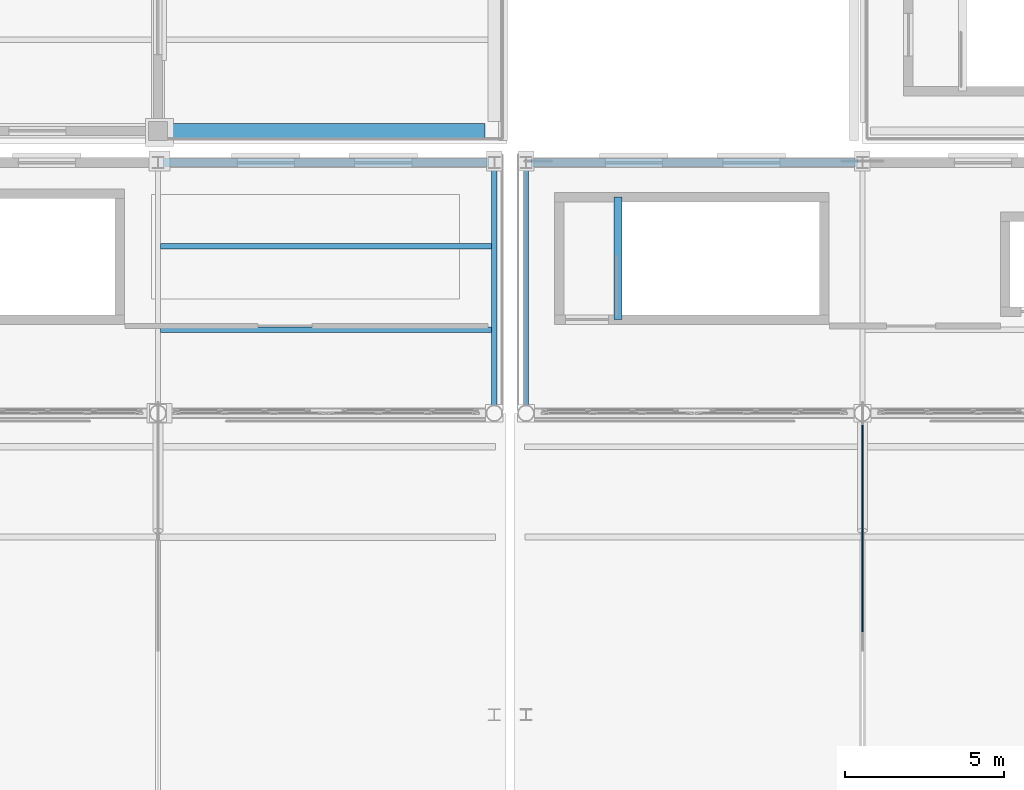
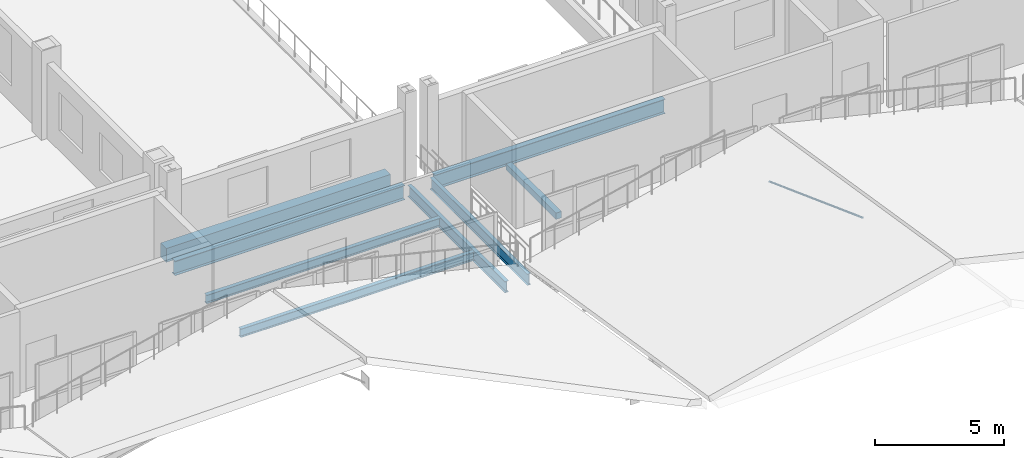
# One storey, part 45 of 120: 8 beams, 1 member.
"""IFC4 building model written with IfcOpenShell, lengths in metres."""

from ifc_helpers import new_model, si_unit, direction, frame, origin, origin_2d, place, context, subcontext, project, spatial, rectangle, circle, i_section, extrude, material, material_profile, profile_set, type_object, element, save


model = new_model("IFC4")

# Units and contexts
model_context = context("Model", 3, precision=1e-05, world=origin(), true_north=direction((0.0, 1.0)))
body_context = subcontext(model_context, "Body", "Model", "MODEL_VIEW")
ifc_project = project(units=[si_unit("LENGTHUNIT", "METRE"), si_unit("AREAUNIT", "SQUARE_METRE"), si_unit("VOLUMEUNIT", "CUBIC_METRE"), si_unit("PLANEANGLEUNIT", "RADIAN"), si_unit("MASSUNIT", "GRAM", prefix="KILO")], contexts=[model_context])

# Site, building, storey
site_placement = place(None, origin())
site = spatial("IfcSite", under=ifc_project, at=site_placement, CompositionType="ELEMENT")
building_placement = place(site_placement, origin())
building = spatial("IfcBuilding", under=site, at=building_placement, Name="Caurita Quay Ferry Terminal", CompositionType="ELEMENT")
storey_placement = place(building_placement, frame((0.0, 0.0, 9.89990234375)))
storey = spatial("IfcBuildingStorey", under=building, at=storey_placement, Name="L02", CompositionType="ELEMENT", Elevation=9.89990234375)

# Beams
ifc_material_1 = material(Name="Structural steel ASTM A992 Gr. 50", Category="steel")
ifc_material_profile_1 = material_profile(ifc_material_1, i_section(OverallWidth=0.25390625, OverallDepth=0.68310546875, WebThickness=0.012451171875, FlangeThickness=0.018798828125, at=origin_2d()), Name="W27X94")
ifc_profile_set_1 = profile_set([ifc_material_profile_1], Name="Structural steel ASTM A992 Gr. 50")
beam_type_1 = type_object("IfcBeamType", Name="BM-GR-W27B", PredefinedType="BEAM", material=ifc_profile_set_1)
beam_1_placement = place(storey_placement, frame((77.167236328125, 70.60009765625, -0.5615234375), z_axis=(1.0, 0.0, 0.0), x_axis=(0.0, 1.0, 0.0)))
element("IfcBeam", 1, at=beam_1_placement, inside=storey, type_object=beam_type_1, Name="L02 Beam BM-V1-L02-X-772-706", PredefinedType="BEAM", context=body_context, shape_type="SweptSolid", body=[
    extrude(i_section(OverallWidth=0.25390625, OverallDepth=0.68310546875, WebThickness=0.012451171875, FlangeThickness=0.018798828125, at=origin_2d()), origin(), (0.0, 0.0, 1.0), 10.265380859375),
])
beam_2_placement = place(storey_placement, frame((88.758544921875, 70.60009765625, -0.5615234375), z_axis=(1.0, 0.0, 0.0), x_axis=(0.0, 1.0, 0.0)))
element("IfcBeam", 2, at=beam_2_placement, inside=storey, type_object=beam_type_1, Name="L02 Beam BM-V2-L02-X-888-706", PredefinedType="BEAM", context=body_context, shape_type="SweptSolid", body=[
    extrude(i_section(OverallWidth=0.25390625, OverallDepth=0.68310546875, WebThickness=0.012451171875, FlangeThickness=0.018798828125, at=origin_2d()), origin(), (0.0, 0.0, 1.0), 10.282958984375),
])
ifc_material_profile_2 = material_profile(ifc_material_1, i_section(OverallWidth=0.177734375, OverallDepth=0.40380859375, WebThickness=0.007568359375, FlangeThickness=0.010986328125, FilletRadius=0.011474609375, at=origin_2d()), Name="W16X36")
ifc_profile_set_2 = profile_set([ifc_material_profile_2], Name="Structural steel ASTM A992 Gr. 50")
beam_type_2 = type_object("IfcBeamType", Name="BM-JS-W16B", PredefinedType="JOIST", material=ifc_profile_set_2)
for number, where, z_axis, x_axis, name in (
    (3, (77.083251953125, 65.333251953125, -0.421875), (1.0, 0.0, 0.0), (0.0, 1.0, 0.0), "L02 Beam JS-V1-L02-007"),
    (4, (77.083251953125, 67.966796875, -0.421875), (1.0, 0.0, 0.0), (0.0, 1.0, 0.0), "L02 Beam JS-V1-L02-008"),
):
    element("IfcBeam", number, at=place(storey_placement, frame(where, z_axis=z_axis, x_axis=x_axis)), inside=storey, type_object=beam_type_2, Name=name, PredefinedType="JOIST", context=body_context, shape_type="SweptSolid", body=[
        extrude(i_section(OverallWidth=0.177734375, OverallDepth=0.40380859375, WebThickness=0.007568359375, FlangeThickness=0.010986328125, FilletRadius=0.011474609375, at=origin_2d()), origin(), (0.0, 0.0, 1.0), 10.433349609375),
    ])
ifc_material_2 = material(Name="Reinforced concrete C35/45", Category="concrete")
ifc_material_profile_3 = material_profile(ifc_material_2, rectangle(XDim=0.449951171875, YDim=0.64990234375, at=origin_2d()), Name="RC-BM-450X650")
ifc_profile_set_3 = profile_set([ifc_material_profile_3], Name="Reinforced concrete C35/45")
beam_type_3 = type_object("IfcBeamType", Name="BM-RC-4565", PredefinedType="BEAM", material=ifc_profile_set_3)
beam_3_placement = place(storey_placement, frame((77.297607421875, 71.60009765625, -0.534912109375), z_axis=(1.0, 0.0, 0.0), x_axis=(0.0, 1.0, 0.0)))
element("IfcBeam", 5, at=beam_3_placement, inside=storey, type_object=beam_type_3, Name="L02 Beam BM-V5-L02-X-773-716", PredefinedType="BEAM", context=body_context, shape_type="SweptSolid", body=[
    extrude(rectangle(XDim=0.449951171875, YDim=0.64990234375, at=origin_2d()), origin(), (0.0, 0.0, 1.0), 10.0048828125),
])
ifc_material_profile_4 = material_profile(ifc_material_1, i_section(OverallWidth=0.16650390625, OverallDepth=0.535888671875, WebThickness=0.01025390625, FlangeThickness=0.0166015625, FilletRadius=0.013916015625, at=origin_2d()), Name="W21X57")
ifc_profile_set_4 = profile_set([ifc_material_profile_4], Name="Structural steel ASTM A992 Gr. 50")
beam_type_4 = type_object("IfcBeamType", Name="BM-SP-W21B", PredefinedType="SPANDREL", material=ifc_profile_set_4)
beam_4_placement = place(storey_placement, frame((87.60009765625, 62.916015625, -0.48779296875), z_axis=(0.0, 1.0, 0.0), x_axis=(-1.0, 0.0, 0.0)))
element("IfcBeam", 6, at=beam_4_placement, inside=storey, type_object=beam_type_4, Name="L02 Beam BM-V1-L02-Y-876-629", PredefinedType="SPANDREL", context=body_context, shape_type="SweptSolid", body=[
    extrude(i_section(OverallWidth=0.16650390625, OverallDepth=0.535888671875, WebThickness=0.01025390625, FlangeThickness=0.0166015625, FilletRadius=0.013916015625, at=origin_2d()), origin(), (0.0, 0.0, 1.0), 7.524169921875),
])
beam_5_placement = place(storey_placement, frame((88.60009765625, 62.916015625, -0.48779296875), z_axis=(0.0, 1.0, 0.0), x_axis=(-1.0, 0.0, 0.0)))
element("IfcBeam", 7, at=beam_5_placement, inside=storey, type_object=beam_type_4, Name="L02 Beam BM-V2-L02-Y-886-629", PredefinedType="SPANDREL", context=body_context, shape_type="SweptSolid", body=[
    extrude(i_section(OverallWidth=0.16650390625, OverallDepth=0.535888671875, WebThickness=0.01025390625, FlangeThickness=0.0166015625, FilletRadius=0.013916015625, at=origin_2d()), origin(), (0.0, 0.0, 1.0), 7.527587890625),
])
ifc_material_profile_5 = material_profile(ifc_material_2, rectangle(XDim=0.25, YDim=0.300048828125, at=origin_2d()), Name="RC-LN-250X300")
ifc_profile_set_5 = profile_set([ifc_material_profile_5], Name="Reinforced concrete C35/45")
beam_type_5 = type_object("IfcBeamType", Name="LN-RC-2530", PredefinedType="LINTEL", material=ifc_profile_set_5)
beam_6_placement = place(storey_placement, frame((91.5, 65.64990234375, -0.14990234375), z_axis=(0.0, 1.0, 0.0), x_axis=(-1.0, 0.0, 0.0)))
element("IfcBeam", 8, at=beam_6_placement, inside=storey, type_object=beam_type_5, Name="L02 Stair ST-08 Landing Trimmer Beam", PredefinedType="LINTEL", context=body_context, shape_type="SweptSolid", body=[
    extrude(rectangle(XDim=0.25, YDim=0.300048828125, at=origin_2d()), origin(), (0.0, 0.0, 1.0), 3.860107421875),
])

# Member
ifc_material_3 = material(Name="Structural stay cable steel ASTM A586", Category="steel")
ifc_material_profile_6 = material_profile(ifc_material_3, circle(Radius=0.031982421875, at=origin_2d()), Name="CABLE-D64")
ifc_profile_set_6 = profile_set([ifc_material_profile_6], Name="Structural stay cable steel ASTM A586")
member_type = type_object("IfcMemberType", Name="MEM-CBL-64", PredefinedType="USERDEFINED", material=ifc_profile_set_6)
member_placement = place(storey_placement, frame((99.199951171875, 62.699951171875, 0.550048828125), z_axis=(0.0, -0.938023948445, 0.346570443263), x_axis=(1.0, 0.0, 0.0)))
element("IfcMember", 9, at=member_placement, inside=storey, type_object=member_type, Name="Folded Roof Stay Cable V2-02-N1", ObjectType="STAY CABLE", PredefinedType="USERDEFINED", context=body_context, shape_type="SweptSolid", body=[
    extrude(circle(Radius=0.031982421875, at=origin_2d()), origin(), (0.0, 0.0, 1.0), 7.675537109375),
])

save(model, "model.ifc")
